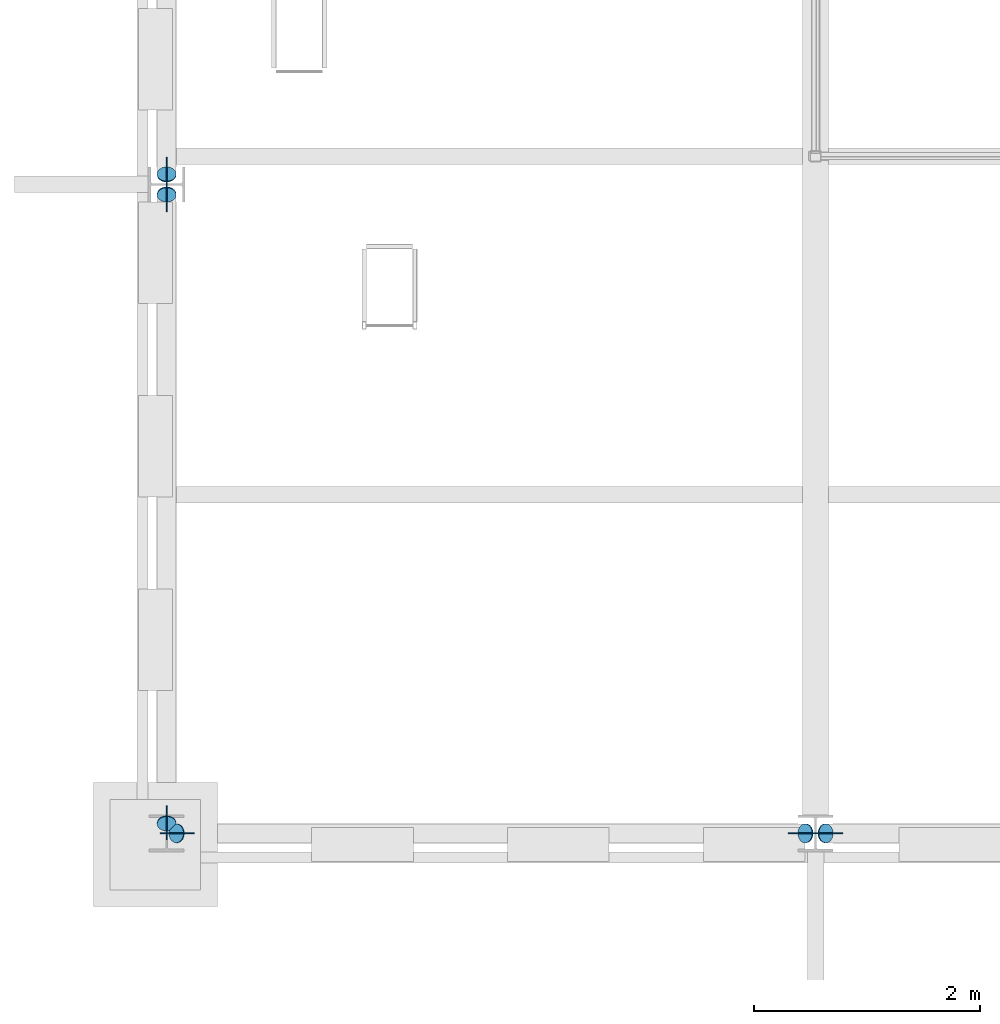
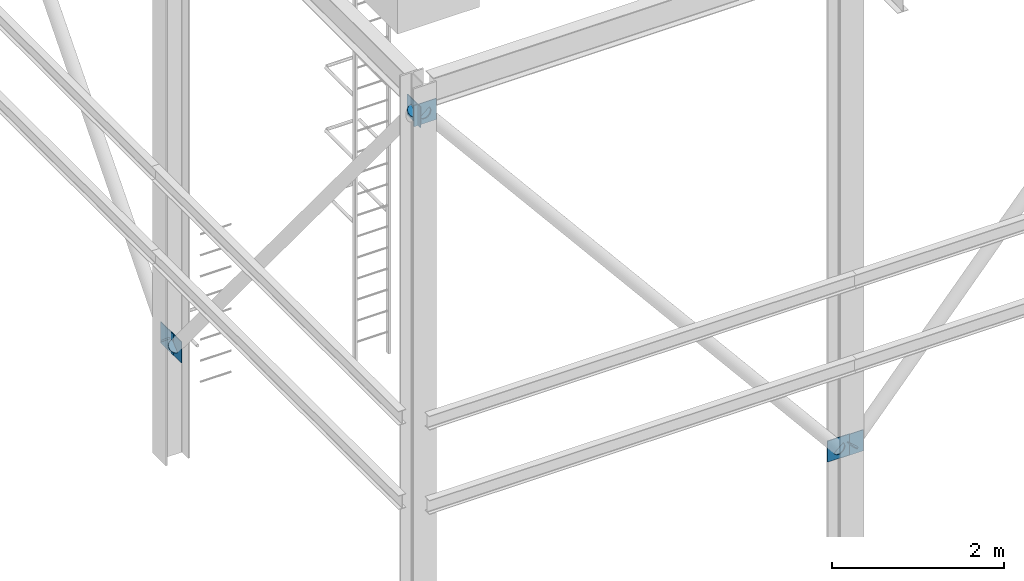
# One storey, part 37 of 57: 12 discrete accessories.
"""IFC4 building model written with IfcOpenShell, lengths in metres."""

from ifc_helpers import new_model, si_unit, direction, frame, origin, origin_2d, place, context, subcontext, project, spatial, rectangle, circle, extrude, material, material_profile, profile_set, type_object, element, save


model = new_model("IFC4")

# Units and contexts
model_context = context("Model", 3, precision=1e-05, world=origin(), true_north=direction((0.0, 1.0)))
body_context = subcontext(model_context, "Body", "Model", "MODEL_VIEW")
ifc_project = project(units=[si_unit("LENGTHUNIT", "METRE"), si_unit("AREAUNIT", "SQUARE_METRE"), si_unit("VOLUMEUNIT", "CUBIC_METRE"), si_unit("PLANEANGLEUNIT", "RADIAN"), si_unit("MASSUNIT", "GRAM", prefix="KILO")], contexts=[model_context])

# Site, building, storey
site_placement = place(None, origin())
site = spatial("IfcSite", under=ifc_project, at=site_placement, CompositionType="ELEMENT")
building_placement = place(site_placement, origin())
building = spatial("IfcBuilding", under=site, at=building_placement, Name="Saffron Lane Theatres", CompositionType="ELEMENT")
storey_placement = place(building_placement, frame((0.0, 0.0, 28.0)))
storey = spatial("IfcBuildingStorey", under=building, at=storey_placement, Name="Upper Roof", CompositionType="ELEMENT", Elevation=28.0)

# Discrete accessories
ifc_material_1 = material(Name="Steel Grade 350", Category="steel")
ifc_material_profile_1 = material_profile(ifc_material_1, rectangle(XDim=0.300048828125, YDim=0.300048828125, at=origin_2d()))
ifc_profile_set_1 = profile_set([ifc_material_profile_1], Name="Steel Grade 350")
discrete_accessory_type_1 = type_object("IfcDiscreteAccessoryType", Name="ST-GUSSET CONNECTION PLATE", PredefinedType="BRACKET", material=ifc_profile_set_1)
for number, where, z_axis, x_axis, name in (
    (1, (23.9072265625, 30.2451171875, 1.61181640625), (0.0, 1.0, 0.0), (-1.0, 0.0, 0.0), "GB99"),
    (2, (18.3427734375, 30.2451171875, 8.33203125), (0.0, 1.0, 0.0), (-1.0, 0.0, 0.0), "GB100"),
    (3, (24.091552734375, 30.2451171875, 1.60595703125), (0.0, 1.0, 0.0), (-1.0, 0.0, 0.0), "GB103"),
    (4, (18.2451171875, 35.9072265625, 1.61181640625), (1.0, 0.0, 0.0), (0.0, 1.0, 0.0), "GB139"),
    (5, (18.2451171875, 30.3427734375, 8.33203125), (1.0, 0.0, 0.0), (0.0, 1.0, 0.0), "GB140"),
    (6, (18.2451171875, 36.091552734375, 1.60595703125), (1.0, 0.0, 0.0), (0.0, 1.0, 0.0), "GB143"),
):
    element("IfcDiscreteAccessory", number, at=place(storey_placement, frame(where, z_axis=z_axis, x_axis=x_axis)), inside=storey, type_object=discrete_accessory_type_1, Name=name, PredefinedType="BRACKET", context=body_context, shape_type="SweptSolid", body=[
        extrude(rectangle(XDim=0.300048828125, YDim=0.300048828125, at=origin_2d()), origin(), (0.0, 0.0, 1.0), 0.009765625),
    ])
ifc_material_2 = material(Name="Steel Grade 350", Category="steel")
ifc_material_profile_2 = material_profile(ifc_material_2, circle(Radius=0.084228515625, at=origin_2d()))
ifc_profile_set_2 = profile_set([ifc_material_profile_2], Name="Steel Grade 350")
discrete_accessory_type_2 = type_object("IfcDiscreteAccessoryType", Name="ST-STEEL END CAP 168.3x6.4 CHS", PredefinedType="ANCHORPLATE", material=ifc_profile_set_2)
discrete_accessory_1_placement = place(storey_placement, frame((23.9150390625, 30.25, 1.602783203125), z_axis=(-0.654151932932, 0.0, 0.756363172452), x_axis=(0.0, -1.0, 0.0)))
element("IfcDiscreteAccessory", 7, at=discrete_accessory_1_placement, inside=storey, type_object=discrete_accessory_type_2, Name="EC45", PredefinedType="ANCHORPLATE", context=body_context, shape_type="SweptSolid", body=[
    extrude(circle(Radius=0.084228515625, at=origin_2d()), origin(), (0.0, 0.0, 1.0), 0.011962890625),
])
discrete_accessory_2_placement = place(storey_placement, frame((18.3427734375, 30.25, 8.33203125), z_axis=(-0.644135745783, 0.0, 0.764911198117), x_axis=(0.0, -1.0, 0.0)))
element("IfcDiscreteAccessory", 8, at=discrete_accessory_2_placement, inside=storey, type_object=discrete_accessory_type_2, Name="EC46", PredefinedType="ANCHORPLATE", context=body_context, shape_type="SweptSolid", body=[
    extrude(circle(Radius=0.084228515625, at=origin_2d()), origin(), (0.0, 0.0, 1.0), 0.01220703125),
])
for number, where, z_axis, x_axis, name in (
    (9, (24.083740234375, 30.25, 1.596923828125), (0.654151932932, 0.0, 0.756363172452), (0.0, 1.0, 0.0), "EC49"),
    (10, (18.25, 35.9150390625, 1.602783203125), (0.0, -0.654151932932, 0.756363172452), (1.0, 0.0, 0.0), "EC85"),
):
    element("IfcDiscreteAccessory", number, at=place(storey_placement, frame(where, z_axis=z_axis, x_axis=x_axis)), inside=storey, type_object=discrete_accessory_type_2, Name=name, PredefinedType="ANCHORPLATE", context=body_context, shape_type="SweptSolid", body=[
        extrude(circle(Radius=0.084228515625, at=origin_2d()), origin(), (0.0, 0.0, 1.0), 0.011962890625),
    ])
discrete_accessory_3_placement = place(storey_placement, frame((18.25, 30.3427734375, 8.33203125), z_axis=(0.0, -0.644135745783, 0.764911198117), x_axis=(1.0, 0.0, 0.0)))
element("IfcDiscreteAccessory", 11, at=discrete_accessory_3_placement, inside=storey, type_object=discrete_accessory_type_2, Name="EC86", PredefinedType="ANCHORPLATE", context=body_context, shape_type="SweptSolid", body=[
    extrude(circle(Radius=0.084228515625, at=origin_2d()), origin(), (0.0, 0.0, 1.0), 0.01220703125),
])
discrete_accessory_4_placement = place(storey_placement, frame((18.25, 36.083740234375, 1.596923828125), z_axis=(0.0, 0.654151932932, 0.756363172452), x_axis=(-1.0, 0.0, 0.0)))
element("IfcDiscreteAccessory", 12, at=discrete_accessory_4_placement, inside=storey, type_object=discrete_accessory_type_2, Name="EC89", PredefinedType="ANCHORPLATE", context=body_context, shape_type="SweptSolid", body=[
    extrude(circle(Radius=0.084228515625, at=origin_2d()), origin(), (0.0, 0.0, 1.0), 0.011962890625),
])

save(model, "model.ifc")
